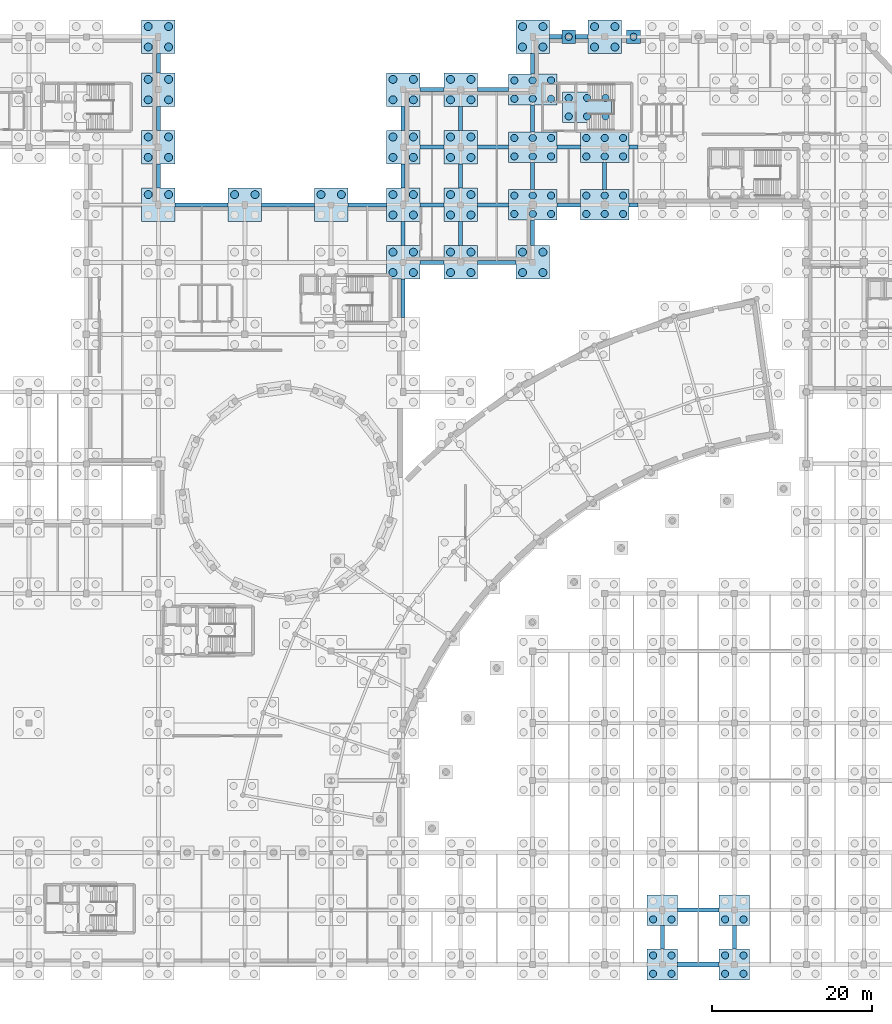
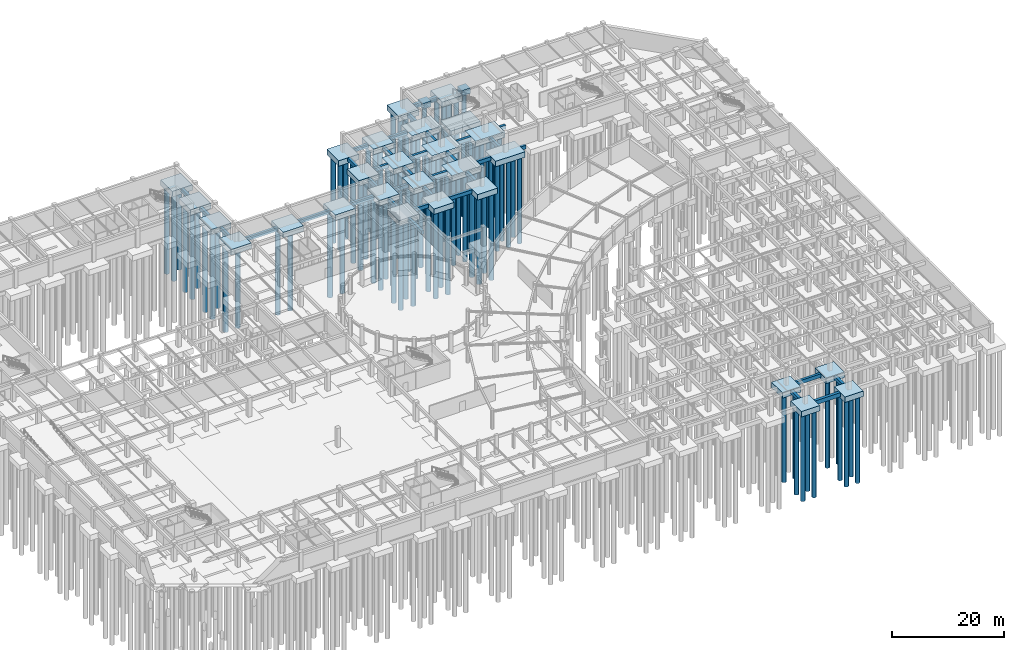
# One storey, part 8 of 42: 112 piles, 65 footings.
"""IFC4 building model written with IfcOpenShell, lengths in metres."""

from ifc_helpers import new_model, si_unit, direction, frame, frame_2d, origin, origin_2d, place, context, subcontext, project, spatial, rectangle, circle, extrude, material, material_profile, profile_set, type_object, element, save


model = new_model("IFC4")

# Units and contexts
model_context = context("Model", 3, precision=1e-05, world=origin(), true_north=direction((0.0, 1.0)))
body_context = subcontext(model_context, "Body", "Model", "MODEL_VIEW")
ifc_project = project(units=[si_unit("LENGTHUNIT", "METRE"), si_unit("AREAUNIT", "SQUARE_METRE"), si_unit("VOLUMEUNIT", "CUBIC_METRE"), si_unit("PLANEANGLEUNIT", "RADIAN"), si_unit("MASSUNIT", "GRAM", prefix="KILO")], contexts=[model_context])

# Site, building, storey
site_placement = place(None, origin())
site = spatial("IfcSite", under=ifc_project, at=site_placement, CompositionType="ELEMENT")
building_placement = place(site_placement, origin())
building = spatial("IfcBuilding", under=site, at=building_placement, Name="Clarverna Civic Hall", CompositionType="ELEMENT")
storey_placement = place(building_placement, frame((0.0, 0.0, -4.199951171875)))
storey = spatial("IfcBuildingStorey", under=building, at=storey_placement, Name="B01", CompositionType="ELEMENT", Elevation=-4.199951171875)

# Footings
ifc_material = material(Name="Concrete C30/37", Category="concrete")
footing_type_1 = type_object("IfcFootingType", Name="FC-02", PredefinedType="PILE_CAP", material=ifc_material)
for number, where, z_axis, x_axis, name in (
    (1, (129.60009765625, 0.0, -1.2001953125), (0.0, 0.0, 1.0), (1.0, 0.0, 0.0), "FC-02-111"),
    (2, (129.60009765625, 6.800048828125, -1.2001953125), (0.0, 0.0, 1.0), (1.0, 0.0, 0.0), "FC-02-112"),
    (3, (138.60009765625, 0.0, -1.2001953125), (0.0, 0.0, 1.0), (1.0, 0.0, 0.0), "FC-02-118"),
    (4, (138.60009765625, 6.800048828125, -1.2001953125), (0.0, 0.0, 1.0), (1.0, 0.0, 0.0), "FC-02-119"),
):
    element("IfcFooting", number, at=place(storey_placement, frame(where, z_axis=z_axis, x_axis=x_axis)), inside=storey, type_object=footing_type_1, Name=name, PredefinedType="PILE_CAP", context=body_context, shape_type="SweptSolid", body=[
        extrude(rectangle(XDim=3.85009765625, YDim=3.85009765625, at=origin_2d()), origin(), (0.0, 0.0, 1.0), 1.199951171875),
    ])
footing_type_2 = type_object("IfcFootingType", Name="FC-03", PredefinedType="PILE_CAP", material=ifc_material)
for number, where, z_axis, x_axis, name in (
    (5, (66.60009765625, 95.0, -1.2001953125), (0.0, 0.0, 1.0), (1.0, 0.0, 0.0), "FC-03-039"),
    (6, (66.60009765625, 102.199951171875, -1.2001953125), (0.0, 0.0, 1.0), (1.0, 0.0, 0.0), "FC-03-040"),
    (7, (66.60009765625, 109.39990234375, -1.2001953125), (0.0, 0.0, 1.0), (1.0, 0.0, 0.0), "FC-03-041"),
    (8, (66.60009765625, 116.0, -1.2001953125), (0.0, 0.0, 1.0), (1.0, 0.0, 0.0), "FC-03-042"),
    (9, (77.39990234375, 95.0, -1.2001953125), (0.0, 0.0, 1.0), (1.0, 0.0, 0.0), "FC-03-045"),
    (10, (88.199951171875, 95.0, -1.2001953125), (0.0, 0.0, 1.0), (1.0, 0.0, 0.0), "FC-03-048"),
    (11, (97.199951171875, 87.800048828125, -1.2001953125), (0.0, 0.0, 1.0), (1.0, 0.0, 0.0), "FC-03-051"),
    (12, (97.199951171875, 95.0, -1.2001953125), (0.0, 0.0, 1.0), (1.0, 0.0, 0.0), "FC-03-052"),
    (13, (97.199951171875, 102.199951171875, -1.2001953125), (0.0, 0.0, 1.0), (1.0, 0.0, 0.0), "FC-03-053"),
    (14, (97.199951171875, 109.39990234375, -1.2001953125), (0.0, 0.0, 1.0), (1.0, 0.0, 0.0), "FC-03-054"),
    (15, (104.39990234375, 87.800048828125, -1.2001953125), (0.0, 0.0, 1.0), (1.0, 0.0, 0.0), "FC-03-055"),
    (16, (104.39990234375, 95.0, -1.2001953125), (0.0, 0.0, 1.0), (1.0, 0.0, 0.0), "FC-03-056"),
    (17, (104.39990234375, 102.199951171875, -1.2001953125), (0.0, 0.0, 1.0), (1.0, 0.0, 0.0), "FC-03-057"),
    (18, (104.39990234375, 109.39990234375, -1.2001953125), (0.0, 0.0, 1.0), (1.0, 0.0, 0.0), "FC-03-058"),
    (19, (113.39990234375, 87.800048828125, -1.2001953125), (0.0, 0.0, 1.0), (1.0, 0.0, 0.0), "FC-03-059"),
    (20, (113.39990234375, 116.0, -1.2001953125), (0.0, 0.0, 1.0), (1.0, 0.0, 0.0), "FC-03-060"),
    (21, (122.39990234375, 116.0, -1.2001953125), (0.0, 0.0, 1.0), (1.0, 0.0, 0.0), "FC-03-061"),
):
    element("IfcFooting", number, at=place(storey_placement, frame(where, z_axis=z_axis, x_axis=x_axis)), inside=storey, type_object=footing_type_2, Name=name, PredefinedType="PILE_CAP", context=body_context, shape_type="SweptSolid", body=[
        extrude(rectangle(XDim=4.199951171875, YDim=4.199951171875, at=origin_2d()), origin(), (0.0, 0.0, 1.0), 1.199951171875),
    ])
footing_type_3 = type_object("IfcFootingType", Name="FC-04", PredefinedType="PILE_CAP", material=ifc_material)
for number, where, z_axis, x_axis, name in (
    (22, (113.39990234375, 95.0, -1.2001953125), (0.0, 0.0, 1.0), (1.0, 0.0, 0.0), "FC-04-001"),
    (23, (113.39990234375, 102.199951171875, -1.2001953125), (0.0, 0.0, 1.0), (1.0, 0.0, 0.0), "FC-04-002"),
    (24, (113.39990234375, 109.39990234375, -1.2001953125), (0.0, 0.0, 1.0), (1.0, 0.0, 0.0), "FC-04-003"),
    (25, (122.39990234375, 95.0, -1.2001953125), (0.0, 0.0, 1.0), (1.0, 0.0, 0.0), "FC-04-004"),
    (26, (122.39990234375, 102.199951171875, -1.2001953125), (0.0, 0.0, 1.0), (1.0, 0.0, 0.0), "FC-04-005"),
    (27, (120.199951171875, 107.199951171875, -1.2001953125), (0.0, 0.0, 1.0), (1.0, 0.0, 0.0), "FC-04-026"),
):
    element("IfcFooting", number, at=place(storey_placement, frame(where, z_axis=z_axis, x_axis=x_axis)), inside=storey, type_object=footing_type_3, Name=name, PredefinedType="PILE_CAP", context=body_context, shape_type="SweptSolid", body=[
        extrude(rectangle(XDim=6.10009765625, YDim=3.85009765625, at=origin_2d()), origin(), (0.0, 0.0, 1.0), 1.199951171875),
    ])
footing_type_4 = type_object("IfcFootingType", Name="FC-06", PredefinedType="PILE_CAP", material=ifc_material)
for number, where, z_axis, x_axis, name in (
    (28, (117.89990234375, 116.0, -1.2001953125), (0.0, 0.0, 1.0), (1.0, 0.0, 0.0), "FC-06-032"),
    (29, (126.0, 116.0, -1.2001953125), (0.0, 0.0, 1.0), (1.0, 0.0, 0.0), "FC-06-033"),
):
    element("IfcFooting", number, at=place(storey_placement, frame(where, z_axis=z_axis, x_axis=x_axis)), inside=storey, type_object=footing_type_4, Name=name, PredefinedType="PILE_CAP", context=body_context, shape_type="SweptSolid", body=[
        extrude(rectangle(XDim=1.699951171875, YDim=1.699951171875, at=origin_2d()), origin(), (0.0, 0.0, 1.0), 1.199951171875),
    ])
footing_type_5 = type_object("IfcFootingType", Name="GB-01", PredefinedType="FOOTING_BEAM", material=ifc_material)
footing_1_placement = place(storey_placement, frame((131.52490234375, 6.800048828125, -0.800048828125), z_axis=(0.0, 0.0, 1.0), x_axis=(1.0, 0.0, 0.0)))
element("IfcFooting", 30, at=footing_1_placement, inside=storey, type_object=footing_type_5, Name="GB-01-014", PredefinedType="FOOTING_BEAM", context=body_context, shape_type="SweptSolid", body=[
    extrude(rectangle(XDim=5.150146484375, YDim=0.5, at=frame_2d((2.5751953125, 0.0))), origin(), (0.0, 0.0, 1.0), 0.800048828125),
])
footing_2_placement = place(storey_placement, frame((99.300048828125, 87.800048828125, -0.800048828125), z_axis=(0.0, 0.0, 1.0), x_axis=(1.0, 0.0, 0.0)))
element("IfcFooting", 31, at=footing_2_placement, inside=storey, type_object=footing_type_5, Name="GB-01-129", PredefinedType="FOOTING_BEAM", context=body_context, shape_type="SweptSolid", body=[
    extrude(rectangle(XDim=3.0, YDim=0.5, at=frame_2d((1.5, 0.0))), origin(), (0.0, 0.0, 1.0), 0.800048828125),
])
footing_3_placement = place(storey_placement, frame((106.5, 87.800048828125, -0.800048828125), z_axis=(0.0, 0.0, 1.0), x_axis=(1.0, 0.0, 0.0)))
element("IfcFooting", 32, at=footing_3_placement, inside=storey, type_object=footing_type_5, Name="GB-01-130", PredefinedType="FOOTING_BEAM", context=body_context, shape_type="SweptSolid", body=[
    extrude(rectangle(XDim=4.800048828125, YDim=0.5, at=frame_2d((2.39990234375, 0.0))), origin(), (0.0, 0.0, 1.0), 0.800048828125),
])
for number, where, z_axis, x_axis, name in (
    (33, (68.699951171875, 95.0, -0.800048828125), (0.0, 0.0, 1.0), (1.0, 0.0, 0.0), "GB-01-137"),
    (34, (79.5, 95.0, -0.800048828125), (0.0, 0.0, 1.0), (1.0, 0.0, 0.0), "GB-01-138"),
):
    element("IfcFooting", number, at=place(storey_placement, frame(where, z_axis=z_axis, x_axis=x_axis)), inside=storey, type_object=footing_type_5, Name=name, PredefinedType="FOOTING_BEAM", context=body_context, shape_type="SweptSolid", body=[
        extrude(rectangle(XDim=6.60009765625, YDim=0.5, at=frame_2d((3.300048828125, 0.0))), origin(), (0.0, 0.0, 1.0), 0.800048828125),
    ])
footing_4_placement = place(storey_placement, frame((90.300048828125, 95.0, -0.800048828125), z_axis=(0.0, 0.0, 1.0), x_axis=(1.0, 0.0, 0.0)))
element("IfcFooting", 35, at=footing_4_placement, inside=storey, type_object=footing_type_5, Name="GB-01-139", PredefinedType="FOOTING_BEAM", context=body_context, shape_type="SweptSolid", body=[
    extrude(rectangle(XDim=4.800048828125, YDim=0.5, at=frame_2d((2.39990234375, 0.0))), origin(), (0.0, 0.0, 1.0), 0.800048828125),
])
footing_5_placement = place(storey_placement, frame((99.300048828125, 95.0, -0.800048828125), z_axis=(0.0, 0.0, 1.0), x_axis=(1.0, 0.0, 0.0)))
element("IfcFooting", 36, at=footing_5_placement, inside=storey, type_object=footing_type_5, Name="GB-01-140", PredefinedType="FOOTING_BEAM", context=body_context, shape_type="SweptSolid", body=[
    extrude(rectangle(XDim=3.0, YDim=0.5, at=frame_2d((1.5, 0.0))), origin(), (0.0, 0.0, 1.0), 0.800048828125),
])
footing_6_placement = place(storey_placement, frame((106.5, 95.0, -0.800048828125), z_axis=(0.0, 0.0, 1.0), x_axis=(1.0, 0.0, 0.0)))
element("IfcFooting", 37, at=footing_6_placement, inside=storey, type_object=footing_type_5, Name="GB-01-141", PredefinedType="FOOTING_BEAM", context=body_context, shape_type="SweptSolid", body=[
    extrude(rectangle(XDim=3.85009765625, YDim=0.5, at=frame_2d((1.925048828125, 0.0))), origin(), (0.0, 0.0, 1.0), 0.800048828125),
])
footing_7_placement = place(storey_placement, frame((116.449951171875, 95.0, -0.800048828125), z_axis=(0.0, 0.0, 1.0), x_axis=(1.0, 0.0, 0.0)))
element("IfcFooting", 38, at=footing_7_placement, inside=storey, type_object=footing_type_5, Name="GB-01-142", PredefinedType="FOOTING_BEAM", context=body_context, shape_type="SweptSolid", body=[
    extrude(rectangle(XDim=2.900146484375, YDim=0.5, at=frame_2d((1.4501953125, 0.0))), origin(), (0.0, 0.0, 1.0), 0.800048828125),
])
footing_8_placement = place(storey_placement, frame((125.449951171875, 95.0, -0.800048828125), z_axis=(0.0, 0.0, 1.0), x_axis=(1.0, 0.0, 0.0)))
element("IfcFooting", 39, at=footing_8_placement, inside=storey, type_object=footing_type_5, Name="GB-01-143", PredefinedType="FOOTING_BEAM", context=body_context, shape_type="SweptSolid", body=[
    extrude(rectangle(XDim=1.10009765625, YDim=0.5, at=frame_2d((0.550048828125, 0.0))), origin(), (0.0, 0.0, 1.0), 0.800048828125),
])
footing_9_placement = place(storey_placement, frame((99.300048828125, 102.199951171875, -0.800048828125), z_axis=(0.0, 0.0, 1.0), x_axis=(1.0, 0.0, 0.0)))
element("IfcFooting", 40, at=footing_9_placement, inside=storey, type_object=footing_type_5, Name="GB-01-157", PredefinedType="FOOTING_BEAM", context=body_context, shape_type="SweptSolid", body=[
    extrude(rectangle(XDim=3.0, YDim=0.5, at=frame_2d((1.5, 0.0))), origin(), (0.0, 0.0, 1.0), 0.800048828125),
])
footing_10_placement = place(storey_placement, frame((106.5, 102.199951171875, -0.800048828125), z_axis=(0.0, 0.0, 1.0), x_axis=(1.0, 0.0, 0.0)))
element("IfcFooting", 41, at=footing_10_placement, inside=storey, type_object=footing_type_5, Name="GB-01-158", PredefinedType="FOOTING_BEAM", context=body_context, shape_type="SweptSolid", body=[
    extrude(rectangle(XDim=3.85009765625, YDim=0.5, at=frame_2d((1.925048828125, 0.0))), origin(), (0.0, 0.0, 1.0), 0.800048828125),
])
footing_11_placement = place(storey_placement, frame((116.449951171875, 102.199951171875, -0.800048828125), z_axis=(0.0, 0.0, 1.0), x_axis=(1.0, 0.0, 0.0)))
element("IfcFooting", 42, at=footing_11_placement, inside=storey, type_object=footing_type_5, Name="GB-01-159", PredefinedType="FOOTING_BEAM", context=body_context, shape_type="SweptSolid", body=[
    extrude(rectangle(XDim=2.900146484375, YDim=0.5, at=frame_2d((1.4501953125, 0.0))), origin(), (0.0, 0.0, 1.0), 0.800048828125),
])
footing_12_placement = place(storey_placement, frame((125.449951171875, 102.199951171875, -0.800048828125), z_axis=(0.0, 0.0, 1.0), x_axis=(1.0, 0.0, 0.0)))
element("IfcFooting", 43, at=footing_12_placement, inside=storey, type_object=footing_type_5, Name="GB-01-160", PredefinedType="FOOTING_BEAM", context=body_context, shape_type="SweptSolid", body=[
    extrude(rectangle(XDim=1.10009765625, YDim=0.5, at=frame_2d((0.550048828125, 0.0))), origin(), (0.0, 0.0, 1.0), 0.800048828125),
])
footing_13_placement = place(storey_placement, frame((99.300048828125, 109.39990234375, -0.800048828125), z_axis=(0.0, 0.0, 1.0), x_axis=(1.0, 0.0, 0.0)))
element("IfcFooting", 44, at=footing_13_placement, inside=storey, type_object=footing_type_5, Name="GB-01-167", PredefinedType="FOOTING_BEAM", context=body_context, shape_type="SweptSolid", body=[
    extrude(rectangle(XDim=3.0, YDim=0.5, at=frame_2d((1.5, 0.0))), origin(), (0.0, 0.0, 1.0), 0.800048828125),
])
footing_14_placement = place(storey_placement, frame((106.5, 109.39990234375, -0.800048828125), z_axis=(0.0, 0.0, 1.0), x_axis=(1.0, 0.0, 0.0)))
element("IfcFooting", 45, at=footing_14_placement, inside=storey, type_object=footing_type_5, Name="GB-01-168", PredefinedType="FOOTING_BEAM", context=body_context, shape_type="SweptSolid", body=[
    extrude(rectangle(XDim=3.85009765625, YDim=0.5, at=frame_2d((1.925048828125, 0.0))), origin(), (0.0, 0.0, 1.0), 0.800048828125),
])
for number, where, z_axis, x_axis, name in (
    (46, (66.60009765625, 97.10009765625, -0.800048828125), (0.0, 0.0, 1.0), (0.0, 1.0, 0.0), "GB-01-245"),
    (47, (66.60009765625, 104.300048828125, -0.800048828125), (0.0, 0.0, 1.0), (0.0, 1.0, 0.0), "GB-01-246"),
):
    element("IfcFooting", number, at=place(storey_placement, frame(where, z_axis=z_axis, x_axis=x_axis)), inside=storey, type_object=footing_type_5, Name=name, PredefinedType="FOOTING_BEAM", context=body_context, shape_type="SweptSolid", body=[
        extrude(rectangle(XDim=3.0, YDim=0.5, at=frame_2d((1.5, 0.0))), origin(), (0.0, 0.0, 1.0), 0.800048828125),
    ])
footing_15_placement = place(storey_placement, frame((66.60009765625, 111.5, -0.800048828125), z_axis=(0.0, 0.0, 1.0), x_axis=(0.0, 1.0, 0.0)))
element("IfcFooting", 48, at=footing_15_placement, inside=storey, type_object=footing_type_5, Name="GB-01-247", PredefinedType="FOOTING_BEAM", context=body_context, shape_type="SweptSolid", body=[
    extrude(rectangle(XDim=2.39990234375, YDim=0.5, at=frame_2d((1.199951171875, 0.0))), origin(), (0.0, 0.0, 1.0), 0.800048828125),
])
footing_16_placement = place(storey_placement, frame((97.199951171875, 80.89990234375, -0.800048828125), z_axis=(0.0, 0.0, 1.0), x_axis=(0.0, 1.0, 0.0)))
element("IfcFooting", 49, at=footing_16_placement, inside=storey, type_object=footing_type_5, Name="GB-01-263", PredefinedType="FOOTING_BEAM", context=body_context, shape_type="SweptSolid", body=[
    extrude(rectangle(XDim=4.800048828125, YDim=0.5, at=frame_2d((2.39990234375, 0.0))), origin(), (0.0, 0.0, 1.0), 0.800048828125),
])
for number, where, z_axis, x_axis, name in (
    (50, (97.199951171875, 89.89990234375, -0.800048828125), (0.0, 0.0, 1.0), (0.0, 1.0, 0.0), "GB-01-264"),
    (51, (97.199951171875, 97.10009765625, -0.800048828125), (0.0, 0.0, 1.0), (0.0, 1.0, 0.0), "GB-01-265"),
    (52, (97.199951171875, 104.300048828125, -0.800048828125), (0.0, 0.0, 1.0), (0.0, 1.0, 0.0), "GB-01-266"),
    (53, (104.39990234375, 89.89990234375, -0.800048828125), (0.0, 0.0, 1.0), (0.0, 1.0, 0.0), "GB-01-269"),
    (54, (104.39990234375, 97.10009765625, -0.800048828125), (0.0, 0.0, 1.0), (0.0, 1.0, 0.0), "GB-01-270"),
    (55, (104.39990234375, 104.300048828125, -0.800048828125), (0.0, 0.0, 1.0), (0.0, 1.0, 0.0), "GB-01-271"),
):
    element("IfcFooting", number, at=place(storey_placement, frame(where, z_axis=z_axis, x_axis=x_axis)), inside=storey, type_object=footing_type_5, Name=name, PredefinedType="FOOTING_BEAM", context=body_context, shape_type="SweptSolid", body=[
        extrude(rectangle(XDim=3.0, YDim=0.5, at=frame_2d((1.5, 0.0))), origin(), (0.0, 0.0, 1.0), 0.800048828125),
    ])
footing_17_placement = place(storey_placement, frame((113.39990234375, 89.89990234375, -0.800048828125), z_axis=(0.0, 0.0, 1.0), x_axis=(0.0, 1.0, 0.0)))
element("IfcFooting", 56, at=footing_17_placement, inside=storey, type_object=footing_type_5, Name="GB-01-277", PredefinedType="FOOTING_BEAM", context=body_context, shape_type="SweptSolid", body=[
    extrude(rectangle(XDim=3.175048828125, YDim=0.5, at=frame_2d((1.58740234375, 0.0))), origin(), (0.0, 0.0, 1.0), 0.800048828125),
])
footing_18_placement = place(storey_placement, frame((113.39990234375, 96.925048828125, -0.800048828125), z_axis=(0.0, 0.0, 1.0), x_axis=(0.0, 1.0, 0.0)))
element("IfcFooting", 57, at=footing_18_placement, inside=storey, type_object=footing_type_5, Name="GB-01-278", PredefinedType="FOOTING_BEAM", context=body_context, shape_type="SweptSolid", body=[
    extrude(rectangle(XDim=3.349853515625, YDim=0.5, at=frame_2d((1.6748046875, 0.0))), origin(), (0.0, 0.0, 1.0), 0.800048828125),
])
footing_19_placement = place(storey_placement, frame((113.39990234375, 104.125, -0.800048828125), z_axis=(0.0, 0.0, 1.0), x_axis=(0.0, 1.0, 0.0)))
element("IfcFooting", 58, at=footing_19_placement, inside=storey, type_object=footing_type_5, Name="GB-01-279", PredefinedType="FOOTING_BEAM", context=body_context, shape_type="SweptSolid", body=[
    extrude(rectangle(XDim=3.35009765625, YDim=0.5, at=frame_2d((1.675048828125, 0.0))), origin(), (0.0, 0.0, 1.0), 0.800048828125),
])
footing_20_placement = place(storey_placement, frame((113.39990234375, 111.324951171875, -0.800048828125), z_axis=(0.0, 0.0, 1.0), x_axis=(0.0, 1.0, 0.0)))
element("IfcFooting", 59, at=footing_20_placement, inside=storey, type_object=footing_type_5, Name="GB-01-280", PredefinedType="FOOTING_BEAM", context=body_context, shape_type="SweptSolid", body=[
    extrude(rectangle(XDim=2.574951171875, YDim=0.5, at=frame_2d((1.28759765625, 0.0))), origin(), (0.0, 0.0, 1.0), 0.800048828125),
])
footing_21_placement = place(storey_placement, frame((122.39990234375, 96.925048828125, -0.800048828125), z_axis=(0.0, 0.0, 1.0), x_axis=(0.0, 1.0, 0.0)))
element("IfcFooting", 60, at=footing_21_placement, inside=storey, type_object=footing_type_5, Name="GB-01-287", PredefinedType="FOOTING_BEAM", context=body_context, shape_type="SweptSolid", body=[
    extrude(rectangle(XDim=3.349853515625, YDim=0.5, at=frame_2d((1.6748046875, 0.0))), origin(), (0.0, 0.0, 1.0), 0.800048828125),
])
for number, where, z_axis, x_axis, name in (
    (61, (129.60009765625, 1.925048828125, -0.800048828125), (0.0, 0.0, 1.0), (0.0, 1.0, 0.0), "GB-01-288"),
    (62, (138.60009765625, 1.925048828125, -0.800048828125), (0.0, 0.0, 1.0), (0.0, 1.0, 0.0), "GB-01-297"),
):
    element("IfcFooting", number, at=place(storey_placement, frame(where, z_axis=z_axis, x_axis=x_axis)), inside=storey, type_object=footing_type_5, Name=name, PredefinedType="FOOTING_BEAM", context=body_context, shape_type="SweptSolid", body=[
        extrude(rectangle(XDim=2.949951171875, YDim=0.5, at=frame_2d((1.47509765625, 0.0))), origin(), (0.0, 0.0, 1.0), 0.800048828125),
    ])
footing_type_6 = type_object("IfcFootingType", Name="GB-02", PredefinedType="FOOTING_BEAM", material=ifc_material)
footing_22_placement = place(storey_placement, frame((131.52490234375, 0.0, -0.900146484375), z_axis=(0.0, 0.0, 1.0), x_axis=(1.0, 0.0, 0.0)))
element("IfcFooting", 63, at=footing_22_placement, inside=storey, type_object=footing_type_6, Name="GB-02-016", PredefinedType="FOOTING_BEAM", context=body_context, shape_type="SweptSolid", body=[
    extrude(rectangle(XDim=5.150146484375, YDim=0.60009765625, at=frame_2d((2.5751953125, 0.0))), origin(), (0.0, 0.0, 1.0), 0.900146484375),
])
for number, where, z_axis, x_axis, name in (
    (64, (115.5, 116.0, -0.900146484375), (0.0, 0.0, 1.0), (1.0, 0.0, 0.0), "GB-02-029"),
    (65, (118.75, 116.0, -0.900146484375), (0.0, 0.0, 1.0), (1.0, 0.0, 0.0), "GB-02-030"),
):
    element("IfcFooting", number, at=place(storey_placement, frame(where, z_axis=z_axis, x_axis=x_axis)), inside=storey, type_object=footing_type_6, Name=name, PredefinedType="FOOTING_BEAM", context=body_context, shape_type="SweptSolid", body=[
        extrude(rectangle(XDim=1.550048828125, YDim=0.60009765625, at=frame_2d((0.77490234375, 0.0))), origin(), (0.0, 0.0, 1.0), 0.900146484375),
    ])

# Piles
ifc_material_profile_1 = material_profile(ifc_material, circle(Radius=0.449951171875, at=origin_2d()), Name="BORED PILE D900")
ifc_profile_set_1 = profile_set([ifc_material_profile_1], Name="Concrete C30/37")
pile_type_1 = type_object("IfcPileType", Name="PL-01", PredefinedType="BORED", material=ifc_profile_set_1)
for number, where, z_axis, x_axis, name in (
    (66, (111.10009765625, 93.85009765625, -1.10009765625), (0.0, 0.0, -1.0), (1.0, 0.0, 0.0), "PL-01-463"),
    (67, (113.39990234375, 93.85009765625, -1.10009765625), (0.0, 0.0, -1.0), (1.0, 0.0, 0.0), "PL-01-464"),
    (68, (115.699951171875, 93.85009765625, -1.10009765625), (0.0, 0.0, -1.0), (1.0, 0.0, 0.0), "PL-01-465"),
    (69, (111.10009765625, 96.14990234375, -1.10009765625), (0.0, 0.0, -1.0), (1.0, 0.0, 0.0), "PL-01-466"),
    (70, (113.39990234375, 96.14990234375, -1.10009765625), (0.0, 0.0, -1.0), (1.0, 0.0, 0.0), "PL-01-467"),
    (71, (115.699951171875, 96.14990234375, -1.10009765625), (0.0, 0.0, -1.0), (1.0, 0.0, 0.0), "PL-01-468"),
    (72, (111.10009765625, 101.050048828125, -1.10009765625), (0.0, 0.0, -1.0), (1.0, 0.0, 0.0), "PL-01-469"),
    (73, (113.39990234375, 101.050048828125, -1.10009765625), (0.0, 0.0, -1.0), (1.0, 0.0, 0.0), "PL-01-470"),
    (74, (115.699951171875, 101.050048828125, -1.10009765625), (0.0, 0.0, -1.0), (1.0, 0.0, 0.0), "PL-01-471"),
    (75, (111.10009765625, 103.35009765625, -1.10009765625), (0.0, 0.0, -1.0), (1.0, 0.0, 0.0), "PL-01-472"),
    (76, (113.39990234375, 103.35009765625, -1.10009765625), (0.0, 0.0, -1.0), (1.0, 0.0, 0.0), "PL-01-473"),
    (77, (115.699951171875, 103.35009765625, -1.10009765625), (0.0, 0.0, -1.0), (1.0, 0.0, 0.0), "PL-01-474"),
    (78, (111.10009765625, 108.25, -1.10009765625), (0.0, 0.0, -1.0), (1.0, 0.0, 0.0), "PL-01-475"),
    (79, (113.39990234375, 108.25, -1.10009765625), (0.0, 0.0, -1.0), (1.0, 0.0, 0.0), "PL-01-476"),
    (80, (115.699951171875, 108.25, -1.10009765625), (0.0, 0.0, -1.0), (1.0, 0.0, 0.0), "PL-01-477"),
    (81, (111.10009765625, 110.550048828125, -1.10009765625), (0.0, 0.0, -1.0), (1.0, 0.0, 0.0), "PL-01-478"),
    (82, (113.39990234375, 110.550048828125, -1.10009765625), (0.0, 0.0, -1.0), (1.0, 0.0, 0.0), "PL-01-479"),
    (83, (115.699951171875, 110.550048828125, -1.10009765625), (0.0, 0.0, -1.0), (1.0, 0.0, 0.0), "PL-01-480"),
    (84, (120.10009765625, 93.85009765625, -1.10009765625), (0.0, 0.0, -1.0), (1.0, 0.0, 0.0), "PL-01-509"),
    (85, (122.39990234375, 93.85009765625, -1.10009765625), (0.0, 0.0, -1.0), (1.0, 0.0, 0.0), "PL-01-510"),
    (86, (124.699951171875, 93.85009765625, -1.10009765625), (0.0, 0.0, -1.0), (1.0, 0.0, 0.0), "PL-01-511"),
    (87, (120.10009765625, 96.14990234375, -1.10009765625), (0.0, 0.0, -1.0), (1.0, 0.0, 0.0), "PL-01-512"),
    (88, (122.39990234375, 96.14990234375, -1.10009765625), (0.0, 0.0, -1.0), (1.0, 0.0, 0.0), "PL-01-513"),
    (89, (124.699951171875, 96.14990234375, -1.10009765625), (0.0, 0.0, -1.0), (1.0, 0.0, 0.0), "PL-01-514"),
    (90, (120.10009765625, 101.050048828125, -1.10009765625), (0.0, 0.0, -1.0), (1.0, 0.0, 0.0), "PL-01-515"),
    (91, (122.39990234375, 101.050048828125, -1.10009765625), (0.0, 0.0, -1.0), (1.0, 0.0, 0.0), "PL-01-516"),
    (92, (124.699951171875, 101.050048828125, -1.10009765625), (0.0, 0.0, -1.0), (1.0, 0.0, 0.0), "PL-01-517"),
    (93, (120.10009765625, 103.35009765625, -1.10009765625), (0.0, 0.0, -1.0), (1.0, 0.0, 0.0), "PL-01-518"),
    (94, (122.39990234375, 103.35009765625, -1.10009765625), (0.0, 0.0, -1.0), (1.0, 0.0, 0.0), "PL-01-519"),
    (95, (124.699951171875, 103.35009765625, -1.10009765625), (0.0, 0.0, -1.0), (1.0, 0.0, 0.0), "PL-01-520"),
    (96, (128.449951171875, -1.14990234375, -1.10009765625), (0.0, 0.0, -1.0), (1.0, 0.0, 0.0), "PL-01-521"),
    (97, (130.75, -1.14990234375, -1.10009765625), (0.0, 0.0, -1.0), (1.0, 0.0, 0.0), "PL-01-522"),
    (98, (128.449951171875, 1.14990234375, -1.10009765625), (0.0, 0.0, -1.0), (1.0, 0.0, 0.0), "PL-01-523"),
    (99, (130.75, 1.14990234375, -1.10009765625), (0.0, 0.0, -1.0), (1.0, 0.0, 0.0), "PL-01-524"),
    (100, (128.449951171875, 5.64990234375, -1.10009765625), (0.0, 0.0, -1.0), (1.0, 0.0, 0.0), "PL-01-525"),
    (101, (130.75, 5.64990234375, -1.10009765625), (0.0, 0.0, -1.0), (1.0, 0.0, 0.0), "PL-01-526"),
    (102, (137.449951171875, -1.14990234375, -1.10009765625), (0.0, 0.0, -1.0), (1.0, 0.0, 0.0), "PL-01-567"),
    (103, (139.75, -1.14990234375, -1.10009765625), (0.0, 0.0, -1.0), (1.0, 0.0, 0.0), "PL-01-568"),
    (104, (137.449951171875, 1.14990234375, -1.10009765625), (0.0, 0.0, -1.0), (1.0, 0.0, 0.0), "PL-01-569"),
    (105, (139.75, 1.14990234375, -1.10009765625), (0.0, 0.0, -1.0), (1.0, 0.0, 0.0), "PL-01-570"),
    (106, (137.449951171875, 5.64990234375, -1.10009765625), (0.0, 0.0, -1.0), (1.0, 0.0, 0.0), "PL-01-571"),
    (107, (139.75, 5.64990234375, -1.10009765625), (0.0, 0.0, -1.0), (1.0, 0.0, 0.0), "PL-01-572"),
    (108, (117.89990234375, 116.0, -1.10009765625), (0.0, 0.0, -1.0), (1.0, 0.0, 0.0), "PL-01-830"),
    (109, (126.0, 116.0, -1.10009765625), (0.0, 0.0, -1.0), (1.0, 0.0, 0.0), "PL-01-831"),
    (110, (117.89990234375, 106.050048828125, -1.10009765625), (0.0, 0.0, -1.0), (1.0, 0.0, 0.0), "PL-01-856"),
    (111, (120.199951171875, 106.050048828125, -1.10009765625), (0.0, 0.0, -1.0), (1.0, 0.0, 0.0), "PL-01-857"),
    (112, (122.5, 106.050048828125, -1.10009765625), (0.0, 0.0, -1.0), (1.0, 0.0, 0.0), "PL-01-858"),
    (113, (117.89990234375, 108.35009765625, -1.10009765625), (0.0, 0.0, -1.0), (1.0, 0.0, 0.0), "PL-01-859"),
    (114, (120.199951171875, 108.35009765625, -1.10009765625), (0.0, 0.0, -1.0), (1.0, 0.0, 0.0), "PL-01-860"),
    (115, (122.5, 108.35009765625, -1.10009765625), (0.0, 0.0, -1.0), (1.0, 0.0, 0.0), "PL-01-861"),
):
    element("IfcPile", number, at=place(storey_placement, frame(where, z_axis=z_axis, x_axis=x_axis)), inside=storey, type_object=pile_type_1, Name=name, PredefinedType="BORED", context=body_context, shape_type="SweptSolid", body=[
        extrude(circle(Radius=0.449951171875, at=origin_2d()), origin(), (0.0, 0.0, 1.0), 19.0),
    ])
ifc_material_profile_2 = material_profile(ifc_material, circle(Radius=0.5, at=origin_2d()), Name="BORED PILE D1000")
ifc_profile_set_2 = profile_set([ifc_material_profile_2], Name="Concrete C30/37")
pile_type_2 = type_object("IfcPileType", Name="PL-02", PredefinedType="BORED", material=ifc_profile_set_2)
for number, where, z_axis, x_axis, name in (
    (116, (65.324951171875, 96.27490234375, -1.10009765625), (0.0, 0.0, -1.0), (1.0, 0.0, 0.0), "PL-02-209"),
    (117, (67.875, 96.27490234375, -1.10009765625), (0.0, 0.0, -1.0), (1.0, 0.0, 0.0), "PL-02-210"),
    (118, (65.324951171875, 100.925048828125, -1.10009765625), (0.0, 0.0, -1.0), (1.0, 0.0, 0.0), "PL-02-211"),
    (119, (67.875, 100.925048828125, -1.10009765625), (0.0, 0.0, -1.0), (1.0, 0.0, 0.0), "PL-02-212"),
    (120, (65.324951171875, 103.47509765625, -1.10009765625), (0.0, 0.0, -1.0), (1.0, 0.0, 0.0), "PL-02-213"),
    (121, (67.875, 103.47509765625, -1.10009765625), (0.0, 0.0, -1.0), (1.0, 0.0, 0.0), "PL-02-214"),
    (122, (65.324951171875, 108.125, -1.10009765625), (0.0, 0.0, -1.0), (1.0, 0.0, 0.0), "PL-02-215"),
    (123, (67.875, 108.125, -1.10009765625), (0.0, 0.0, -1.0), (1.0, 0.0, 0.0), "PL-02-216"),
    (124, (65.324951171875, 110.675048828125, -1.10009765625), (0.0, 0.0, -1.0), (1.0, 0.0, 0.0), "PL-02-217"),
    (125, (67.875, 110.675048828125, -1.10009765625), (0.0, 0.0, -1.0), (1.0, 0.0, 0.0), "PL-02-218"),
    (126, (65.324951171875, 114.72509765625, -1.10009765625), (0.0, 0.0, -1.0), (1.0, 0.0, 0.0), "PL-02-219"),
    (127, (67.875, 114.72509765625, -1.10009765625), (0.0, 0.0, -1.0), (1.0, 0.0, 0.0), "PL-02-220"),
    (128, (65.324951171875, 117.27490234375, -1.10009765625), (0.0, 0.0, -1.0), (1.0, 0.0, 0.0), "PL-02-221"),
    (129, (67.875, 117.27490234375, -1.10009765625), (0.0, 0.0, -1.0), (1.0, 0.0, 0.0), "PL-02-222"),
    (130, (76.125, 96.27490234375, -1.10009765625), (0.0, 0.0, -1.0), (1.0, 0.0, 0.0), "PL-02-233"),
    (131, (78.675048828125, 96.27490234375, -1.10009765625), (0.0, 0.0, -1.0), (1.0, 0.0, 0.0), "PL-02-234"),
    (132, (86.925048828125, 96.27490234375, -1.10009765625), (0.0, 0.0, -1.0), (1.0, 0.0, 0.0), "PL-02-245"),
    (133, (89.47509765625, 96.27490234375, -1.10009765625), (0.0, 0.0, -1.0), (1.0, 0.0, 0.0), "PL-02-246"),
    (134, (95.925048828125, 86.52490234375, -1.10009765625), (0.0, 0.0, -1.0), (1.0, 0.0, 0.0), "PL-02-255"),
    (135, (98.47509765625, 86.52490234375, -1.10009765625), (0.0, 0.0, -1.0), (1.0, 0.0, 0.0), "PL-02-256"),
    (136, (95.925048828125, 89.074951171875, -1.10009765625), (0.0, 0.0, -1.0), (1.0, 0.0, 0.0), "PL-02-257"),
    (137, (98.47509765625, 89.074951171875, -1.10009765625), (0.0, 0.0, -1.0), (1.0, 0.0, 0.0), "PL-02-258"),
    (138, (95.925048828125, 93.72509765625, -1.10009765625), (0.0, 0.0, -1.0), (1.0, 0.0, 0.0), "PL-02-259"),
    (139, (98.47509765625, 93.72509765625, -1.10009765625), (0.0, 0.0, -1.0), (1.0, 0.0, 0.0), "PL-02-260"),
    (140, (95.925048828125, 96.27490234375, -1.10009765625), (0.0, 0.0, -1.0), (1.0, 0.0, 0.0), "PL-02-261"),
    (141, (98.47509765625, 96.27490234375, -1.10009765625), (0.0, 0.0, -1.0), (1.0, 0.0, 0.0), "PL-02-262"),
    (142, (95.925048828125, 100.925048828125, -1.10009765625), (0.0, 0.0, -1.0), (1.0, 0.0, 0.0), "PL-02-263"),
    (143, (98.47509765625, 100.925048828125, -1.10009765625), (0.0, 0.0, -1.0), (1.0, 0.0, 0.0), "PL-02-264"),
    (144, (95.925048828125, 103.47509765625, -1.10009765625), (0.0, 0.0, -1.0), (1.0, 0.0, 0.0), "PL-02-265"),
    (145, (98.47509765625, 103.47509765625, -1.10009765625), (0.0, 0.0, -1.0), (1.0, 0.0, 0.0), "PL-02-266"),
    (146, (95.925048828125, 108.125, -1.10009765625), (0.0, 0.0, -1.0), (1.0, 0.0, 0.0), "PL-02-267"),
    (147, (98.47509765625, 108.125, -1.10009765625), (0.0, 0.0, -1.0), (1.0, 0.0, 0.0), "PL-02-268"),
    (148, (95.925048828125, 110.675048828125, -1.10009765625), (0.0, 0.0, -1.0), (1.0, 0.0, 0.0), "PL-02-269"),
    (149, (98.47509765625, 110.675048828125, -1.10009765625), (0.0, 0.0, -1.0), (1.0, 0.0, 0.0), "PL-02-270"),
    (150, (103.125, 86.52490234375, -1.10009765625), (0.0, 0.0, -1.0), (1.0, 0.0, 0.0), "PL-02-271"),
    (151, (105.675048828125, 86.52490234375, -1.10009765625), (0.0, 0.0, -1.0), (1.0, 0.0, 0.0), "PL-02-272"),
    (152, (103.125, 89.074951171875, -1.10009765625), (0.0, 0.0, -1.0), (1.0, 0.0, 0.0), "PL-02-273"),
    (153, (105.675048828125, 89.074951171875, -1.10009765625), (0.0, 0.0, -1.0), (1.0, 0.0, 0.0), "PL-02-274"),
    (154, (103.125, 93.72509765625, -1.10009765625), (0.0, 0.0, -1.0), (1.0, 0.0, 0.0), "PL-02-275"),
    (155, (105.675048828125, 93.72509765625, -1.10009765625), (0.0, 0.0, -1.0), (1.0, 0.0, 0.0), "PL-02-276"),
    (156, (103.125, 96.27490234375, -1.10009765625), (0.0, 0.0, -1.0), (1.0, 0.0, 0.0), "PL-02-277"),
    (157, (105.675048828125, 96.27490234375, -1.10009765625), (0.0, 0.0, -1.0), (1.0, 0.0, 0.0), "PL-02-278"),
    (158, (103.125, 100.925048828125, -1.10009765625), (0.0, 0.0, -1.0), (1.0, 0.0, 0.0), "PL-02-279"),
    (159, (105.675048828125, 100.925048828125, -1.10009765625), (0.0, 0.0, -1.0), (1.0, 0.0, 0.0), "PL-02-280"),
    (160, (103.125, 103.47509765625, -1.10009765625), (0.0, 0.0, -1.0), (1.0, 0.0, 0.0), "PL-02-281"),
    (161, (105.675048828125, 103.47509765625, -1.10009765625), (0.0, 0.0, -1.0), (1.0, 0.0, 0.0), "PL-02-282"),
    (162, (103.125, 108.125, -1.10009765625), (0.0, 0.0, -1.0), (1.0, 0.0, 0.0), "PL-02-283"),
    (163, (105.675048828125, 108.125, -1.10009765625), (0.0, 0.0, -1.0), (1.0, 0.0, 0.0), "PL-02-284"),
    (164, (103.125, 110.675048828125, -1.10009765625), (0.0, 0.0, -1.0), (1.0, 0.0, 0.0), "PL-02-285"),
    (165, (105.675048828125, 110.675048828125, -1.10009765625), (0.0, 0.0, -1.0), (1.0, 0.0, 0.0), "PL-02-286"),
    (166, (112.125, 86.52490234375, -1.10009765625), (0.0, 0.0, -1.0), (1.0, 0.0, 0.0), "PL-02-287"),
    (167, (114.675048828125, 86.52490234375, -1.10009765625), (0.0, 0.0, -1.0), (1.0, 0.0, 0.0), "PL-02-288"),
    (168, (112.125, 89.074951171875, -1.10009765625), (0.0, 0.0, -1.0), (1.0, 0.0, 0.0), "PL-02-289"),
    (169, (114.675048828125, 89.074951171875, -1.10009765625), (0.0, 0.0, -1.0), (1.0, 0.0, 0.0), "PL-02-290"),
    (170, (112.125, 114.72509765625, -1.10009765625), (0.0, 0.0, -1.0), (1.0, 0.0, 0.0), "PL-02-291"),
    (171, (114.675048828125, 114.72509765625, -1.10009765625), (0.0, 0.0, -1.0), (1.0, 0.0, 0.0), "PL-02-292"),
    (172, (112.125, 117.27490234375, -1.10009765625), (0.0, 0.0, -1.0), (1.0, 0.0, 0.0), "PL-02-293"),
    (173, (114.675048828125, 117.27490234375, -1.10009765625), (0.0, 0.0, -1.0), (1.0, 0.0, 0.0), "PL-02-294"),
    (174, (121.125, 114.72509765625, -1.10009765625), (0.0, 0.0, -1.0), (1.0, 0.0, 0.0), "PL-02-295"),
    (175, (123.675048828125, 114.72509765625, -1.10009765625), (0.0, 0.0, -1.0), (1.0, 0.0, 0.0), "PL-02-296"),
    (176, (121.125, 117.27490234375, -1.10009765625), (0.0, 0.0, -1.0), (1.0, 0.0, 0.0), "PL-02-297"),
    (177, (123.675048828125, 117.27490234375, -1.10009765625), (0.0, 0.0, -1.0), (1.0, 0.0, 0.0), "PL-02-298"),
):
    element("IfcPile", number, at=place(storey_placement, frame(where, z_axis=z_axis, x_axis=x_axis)), inside=storey, type_object=pile_type_2, Name=name, PredefinedType="BORED", context=body_context, shape_type="SweptSolid", body=[
        extrude(circle(Radius=0.5, at=origin_2d()), origin(), (0.0, 0.0, 1.0), 19.0),
    ])

save(model, "model.ifc")
